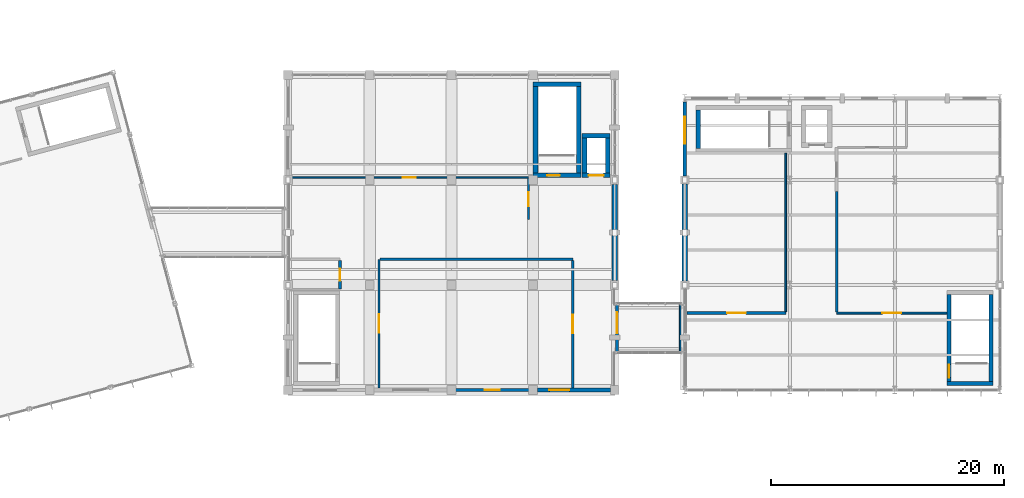
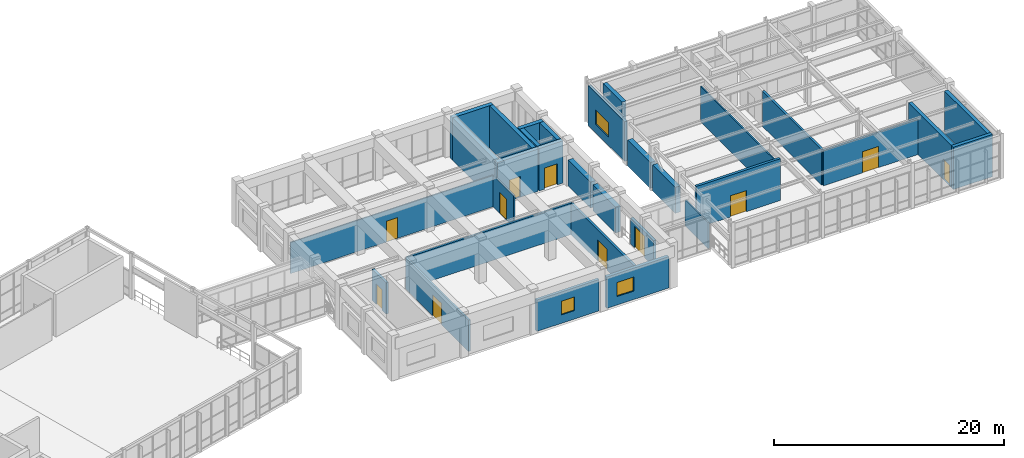
# One storey, part 84 of 99: 31 walls, 11 doors, 3 windows, 14 openings.
"""IFC4 building model written with IfcOpenShell, lengths in metres."""

from ifc_helpers import new_model, si_unit, direction, frame, frame_2d, origin, place, context, subcontext, project, spatial, rectangle, extrude, material, layer, layer_set, type_object, element, fill, save


model = new_model("IFC4")

# Units and contexts
model_context = context("Model", 3, precision=1e-05, world=origin(), true_north=direction((0.0, 1.0)))
body_context = subcontext(model_context, "Body", "Model", "MODEL_VIEW")
ifc_project = project(units=[si_unit("LENGTHUNIT", "METRE"), si_unit("AREAUNIT", "SQUARE_METRE"), si_unit("VOLUMEUNIT", "CUBIC_METRE"), si_unit("PLANEANGLEUNIT", "RADIAN"), si_unit("MASSUNIT", "GRAM", prefix="KILO")], contexts=[model_context])

# Site, building, storey
site_placement = place(None, origin())
site = spatial("IfcSite", under=ifc_project, at=site_placement, CompositionType="ELEMENT")
building_placement = place(site_placement, origin())
building = spatial("IfcBuilding", under=site, at=building_placement, Name="Ventoquebrada Cableway Terminal", CompositionType="ELEMENT")
storey_placement = place(building_placement, frame((0.0, 0.0, 9.60009765625)))
storey = spatial("IfcBuildingStorey", under=building, at=storey_placement, Name="L02", CompositionType="ELEMENT", Elevation=9.60009765625)

# Wall, opening, door
ifc_material_1 = material(Name="Concrete C40/50", Category="concrete")
ifc_layer_1 = layer(ifc_material_1, 0.39990234375)
ifc_layer_set_1 = layer_set([ifc_layer_1], Name="Concrete C40/50")
wall_type_1 = type_object("IfcWallType", Name="WL-CR1", PredefinedType="SHEAR", material=ifc_layer_set_1)
wall_1_placement = place(storey_placement, frame((116.0, 95.39990234375, 0.0), z_axis=(0.0, 0.0, 1.0), x_axis=(1.0, 0.0, 0.0)))
wall_1 = element("IfcWall", 1, at=wall_1_placement, inside=storey, type_object=wall_type_1, Name="Core shear wall IW-0145", PredefinedType="SHEAR", context=body_context, shape_type="SweptSolid", body=[
    extrude(rectangle(XDim=4.10009765625, YDim=0.39990234375, at=frame_2d((2.050048828125, 0.0))), origin(), (0.0, 0.0, 1.0), 4.489990234375),
])
opening_1_placement = place(wall_1_placement, frame((1.199951171875, 0.0, 0.0)))
opening_1 = element("IfcOpeningElement", 2, at=opening_1_placement, cuts=wall_1, Name="Opening D-018", PredefinedType="OPENING", context=body_context, shape_type="SweptSolid", body=[
    extrude(rectangle(XDim=1.10009765625, YDim=2.199951171875, at=frame_2d((0.550048828125, 1.10009765625))), frame((0.0, 0.2099609375, 0.0), z_axis=(0.0, -1.0, 0.0), x_axis=(1.0, 0.0, 0.0)), (0.0, 0.0, 1.0), 0.419921875),
])
ifc_material_2 = material(Name="Galvanized fire-rated steel door assembly", Category="steel")
door_type_1 = type_object("IfcDoorType", Name="DT-IN05", OperationType="SINGLE_SWING_LEFT", PredefinedType="DOOR", material=ifc_material_2)
door_1_placement = place(opening_1_placement, origin())
door_1 = element("IfcDoor", 3, at=door_1_placement, inside=storey, type_object=door_type_1, Name="Core K4-S stair fire door D-018", OperationType="SINGLE_SWING_LEFT", OverallHeight=2.199951171875, OverallWidth=1.10009765625, PredefinedType="DOOR", context=body_context, shape_type="SweptSolid", body=[
    extrude(rectangle(XDim=1.10009765625, YDim=2.199951171875, at=frame_2d((0.550048828125, 1.10009765625))), frame((0.0, 0.02490234375, 0.0), z_axis=(0.0, -1.0, 0.0), x_axis=(1.0, 0.0, 0.0)), (0.0, 0.0, 1.0), 0.050048828125),
])
fill(opening_1, door_1)

# Walls
wall_2_placement = place(storey_placement, frame((119.89990234375, 95.60009765625, 0.0), z_axis=(0.0, 0.0, 1.0), x_axis=(0.0, 1.0, 0.0)))
element("IfcWall", 4, at=wall_2_placement, inside=storey, type_object=wall_type_1, Name="Core shear wall IW-0146", PredefinedType="SHEAR", context=body_context, shape_type="SweptSolid", body=[
    extrude(rectangle(XDim=7.39990234375, YDim=0.39990234375, at=frame_2d((3.699951171875, 0.0))), origin(), (0.0, 0.0, 1.0), 4.489990234375),
])
wall_3_placement = place(storey_placement, frame((120.10009765625, 103.199951171875, 0.0), z_axis=(0.0, 0.0, 1.0), x_axis=(-1.0, 0.0, 0.0)))
element("IfcWall", 5, at=wall_3_placement, inside=storey, type_object=wall_type_1, Name="Core shear wall IW-0147", PredefinedType="SHEAR", context=body_context, shape_type="SweptSolid", body=[
    extrude(rectangle(XDim=4.10009765625, YDim=0.39990234375, at=frame_2d((2.050048828125, 0.0))), origin(), (0.0, 0.0, 1.0), 4.489990234375),
])
wall_4_placement = place(storey_placement, frame((116.199951171875, 103.0, 0.0), z_axis=(0.0, 0.0, 1.0), x_axis=(0.0, -1.0, 0.0)))
element("IfcWall", 6, at=wall_4_placement, inside=storey, type_object=wall_type_1, Name="Core shear wall IW-0148", PredefinedType="SHEAR", context=body_context, shape_type="SweptSolid", body=[
    extrude(rectangle(XDim=7.39990234375, YDim=0.39990234375, at=frame_2d((3.699951171875, 0.0))), origin(), (0.0, 0.0, 1.0), 4.489990234375),
])

# Wall, opening, door
wall_5_placement = place(storey_placement, frame((120.199951171875, 95.39990234375, 0.0), z_axis=(0.0, 0.0, 1.0), x_axis=(1.0, 0.0, 0.0)))
wall_5 = element("IfcWall", 7, at=wall_5_placement, inside=storey, type_object=wall_type_1, Name="Core shear wall IW-0149", PredefinedType="SHEAR", context=body_context, shape_type="SweptSolid", body=[
    extrude(rectangle(XDim=2.400146484375, YDim=0.39990234375, at=frame_2d((1.2001953125, 0.0))), origin(), (0.0, 0.0, 1.0), 4.489990234375),
])
opening_2_placement = place(wall_5_placement, frame((0.550048828125, 0.0, 0.0)))
opening_2 = element("IfcOpeningElement", 8, at=opening_2_placement, cuts=wall_5, Name="Opening LD-018", PredefinedType="OPENING", context=body_context, shape_type="SweptSolid", body=[
    extrude(rectangle(XDim=1.300048828125, YDim=2.25, at=frame_2d((0.64990234375, 1.125))), frame((0.0, 0.2099609375, 0.0), z_axis=(0.0, -1.0, 0.0), x_axis=(1.0, 0.0, 0.0)), (0.0, 0.0, 1.0), 0.419921875),
])
ifc_material_3 = material(Name="Brushed stainless steel Grade 316", Category="steel")
door_type_2 = type_object("IfcDoorType", Name="DT-LD02", OperationType="SLIDING_TO_RIGHT", PredefinedType="DOOR", material=ifc_material_3)
door_2_placement = place(opening_2_placement, origin())
door_2 = element("IfcDoor", 9, at=door_2_placement, inside=storey, type_object=door_type_2, Name="Lift landing sliding door LD-018", OperationType="SLIDING_TO_LEFT", OverallHeight=2.25, OverallWidth=1.300048828125, PredefinedType="DOOR", context=body_context, shape_type="SweptSolid", body=[
    extrude(rectangle(XDim=1.300048828125, YDim=2.25, at=frame_2d((0.64990234375, 1.125))), frame((0.0, 0.02490234375, 0.0), z_axis=(0.0, -1.0, 0.0), x_axis=(1.0, 0.0, 0.0)), (0.0, 0.0, 1.0), 0.050048828125),
])
fill(opening_2, door_2)

# Walls
wall_6_placement = place(storey_placement, frame((122.39990234375, 95.60009765625, 0.0), z_axis=(0.0, 0.0, 1.0), x_axis=(0.0, 1.0, 0.0)))
element("IfcWall", 10, at=wall_6_placement, inside=storey, type_object=wall_type_1, Name="Core shear wall IW-0150", PredefinedType="SHEAR", context=body_context, shape_type="SweptSolid", body=[
    extrude(rectangle(XDim=3.0, YDim=0.39990234375, at=frame_2d((1.5, 0.0))), origin(), (0.0, 0.0, 1.0), 4.489990234375),
])
wall_7_placement = place(storey_placement, frame((122.60009765625, 98.800048828125, 0.0), z_axis=(0.0, 0.0, 1.0), x_axis=(-1.0, 0.0, 0.0)))
element("IfcWall", 11, at=wall_7_placement, inside=storey, type_object=wall_type_1, Name="Core shear wall IW-0151", PredefinedType="SHEAR", context=body_context, shape_type="SweptSolid", body=[
    extrude(rectangle(XDim=2.400146484375, YDim=0.39990234375, at=frame_2d((1.2001953125, 0.0))), origin(), (0.0, 0.0, 1.0), 4.489990234375),
])
wall_8_placement = place(storey_placement, frame((120.39990234375, 98.60009765625, 0.0), z_axis=(0.0, 0.0, 1.0), x_axis=(0.0, -1.0, 0.0)))
element("IfcWall", 12, at=wall_8_placement, inside=storey, type_object=wall_type_1, Name="Core shear wall IW-0152", PredefinedType="SHEAR", context=body_context, shape_type="SweptSolid", body=[
    extrude(rectangle(XDim=3.0, YDim=0.39990234375, at=frame_2d((1.5, 0.0))), origin(), (0.0, 0.0, 1.0), 4.489990234375),
])
wall_9_placement = place(storey_placement, frame((130.14990234375, 101.0, 0.0), z_axis=(0.0, 0.0, 1.0), x_axis=(0.0, -1.0, 0.0)))
element("IfcWall", 13, at=wall_9_placement, inside=storey, type_object=wall_type_1, Name="Core shear wall IW-0180", PredefinedType="SHEAR", context=body_context, shape_type="SweptSolid", body=[
    extrude(rectangle(XDim=3.300048828125, YDim=0.39990234375, at=frame_2d((1.64990234375, 0.0))), origin(), (0.0, 0.0, 1.0), 4.489990234375),
])

# Wall, opening, window
ifc_material_4 = material(Name="Precast architectural concrete C40/50", Category="concrete")
ifc_layer_2 = layer(ifc_material_4, 0.280029296875)
ifc_layer_set_2 = layer_set([ifc_layer_2], Name="Precast architectural concrete C40/50")
wall_type_2 = type_object("IfcWallType", Name="WL-EX1", PredefinedType="SOLIDWALL", material=ifc_layer_set_2)
wall_10_placement = place(storey_placement, frame((109.3701171875, 77.0, 0.0), z_axis=(0.0, 0.0, 1.0), x_axis=(1.0, 0.0, 0.0)))
wall_10 = element("IfcWall", 14, at=wall_10_placement, inside=storey, type_object=wall_type_2, Name="Exterior architectural wall EW-0221", PredefinedType="SOLIDWALL", context=body_context, shape_type="SweptSolid", body=[
    extrude(rectangle(XDim=6.259765625, YDim=0.280029296875, at=frame_2d((3.1298828125, 0.0))), origin(), (0.0, 0.0, 1.0), 3.324951171875),
])
opening_3_placement = place(wall_10_placement, frame((2.47998046875, 0.0, 0.89990234375)))
opening_3 = element("IfcOpeningElement", 15, at=opening_3_placement, cuts=wall_10, Name="Opening WN-115", PredefinedType="OPENING", context=body_context, shape_type="SweptSolid", body=[
    extrude(rectangle(XDim=1.300048828125, YDim=1.449951171875, at=frame_2d((0.64990234375, 0.72509765625))), frame((0.0, 0.14990234375, 0.0), z_axis=(0.0, -1.0, 0.0), x_axis=(1.0, 0.0, 0.0)), (0.0, 0.0, 1.0), 0.300048828125),
])
ifc_material_5 = material(Name="Double low-e laminated safety glazing", Category="glass")
window_type_1 = type_object("IfcWindowType", Name="WT-15", PartitioningType="SINGLE_PANEL", PredefinedType="WINDOW", material=ifc_material_5)
window_1_placement = place(opening_3_placement, origin())
window_1 = element("IfcWindow", 16, at=window_1_placement, inside=storey, type_object=window_type_1, Name="Architectural punched window WN-115", OverallHeight=1.449951171875, OverallWidth=1.300048828125, PartitioningType="SINGLE_PANEL", PredefinedType="WINDOW", context=body_context, shape_type="SweptSolid", body=[
    extrude(rectangle(XDim=1.300048828125, YDim=1.449951171875, at=frame_2d((0.64990234375, 0.72509765625))), frame((0.0, 0.030029296875, 0.0), z_axis=(0.0, -1.0, 0.0), x_axis=(1.0, 0.0, 0.0)), (0.0, 0.0, 1.0), 0.06005859375),
])
fill(opening_3, window_1)

wall_11_placement = place(storey_placement, frame((129.0, 101.698974609375, 0.0), z_axis=(0.0, 0.0, 1.0), x_axis=(0.0, -1.0, 0.0)))
wall_11 = element("IfcWall", 17, at=wall_11_placement, inside=storey, type_object=wall_type_2, Name="Exterior architectural wall EW-0282", PredefinedType="SOLIDWALL", context=body_context, shape_type="SweptSolid", body=[
    extrude(rectangle(XDim=6.35400390625, YDim=0.280029296875, at=frame_2d((3.177001953125, 0.0))), origin(), (0.0, 0.0, 1.0), 4.224853515625),
])
opening_4_placement = place(wall_11_placement, frame((1.277099609375, 0.0, 0.89990234375)))
opening_4 = element("IfcOpeningElement", 18, at=opening_4_placement, cuts=wall_11, Name="Opening WN-158", PredefinedType="OPENING", context=body_context, shape_type="SweptSolid", body=[
    extrude(rectangle(XDim=2.300048828125, YDim=1.5, at=frame_2d((1.14990234375, 0.75))), frame((0.0, 0.14990234375, 0.0), z_axis=(0.0, -1.0, 0.0), x_axis=(1.0, 0.0, 0.0)), (0.0, 0.0, 1.0), 0.300048828125),
])
window_type_2 = type_object("IfcWindowType", Name="WT-18", PartitioningType="SINGLE_PANEL", PredefinedType="WINDOW", material=ifc_material_5)
window_2_placement = place(opening_4_placement, origin())
window_2 = element("IfcWindow", 19, at=window_2_placement, inside=storey, type_object=window_type_2, Name="Architectural punched window WN-158", OverallHeight=1.5, OverallWidth=2.300048828125, PartitioningType="SINGLE_PANEL", PredefinedType="WINDOW", context=body_context, shape_type="SweptSolid", body=[
    extrude(rectangle(XDim=2.300048828125, YDim=1.5, at=frame_2d((1.14990234375, 0.75))), frame((0.0, 0.030029296875, 0.0), z_axis=(0.0, -1.0, 0.0), x_axis=(1.0, 0.0, 0.0)), (0.0, 0.0, 1.0), 0.06005859375),
])
fill(opening_4, window_2)

ifc_layer_3 = layer(ifc_material_4, 0.320068359375)
ifc_layer_set_3 = layer_set([ifc_layer_3], Name="Precast architectural concrete C40/50")
wall_type_3 = type_object("IfcWallType", Name="WL-EX2", PredefinedType="SOLIDWALL", material=ifc_layer_set_3)
wall_12_placement = place(storey_placement, frame((116.3701171875, 77.0, 0.0), z_axis=(0.0, 0.0, 1.0), x_axis=(1.0, 0.0, 0.0)))
wall_12 = element("IfcWall", 20, at=wall_12_placement, inside=storey, type_object=wall_type_3, Name="Exterior architectural wall EW-0222", PredefinedType="SOLIDWALL", context=body_context, shape_type="SweptSolid", body=[
    extrude(rectangle(XDim=6.259765625, YDim=0.320068359375, at=frame_2d((3.1298828125, 0.0))), origin(), (0.0, 0.0, 1.0), 3.324951171875),
])
opening_5_placement = place(wall_12_placement, frame((1.030029296875, 0.0, 0.89990234375)))
opening_5 = element("IfcOpeningElement", 21, at=opening_5_placement, cuts=wall_12, Name="Opening WN-116", PredefinedType="OPENING", context=body_context, shape_type="SweptSolid", body=[
    extrude(rectangle(XDim=1.699951171875, YDim=1.5, at=frame_2d((0.85009765625, 0.75))), frame((0.0, 0.169921875, 0.0), z_axis=(0.0, -1.0, 0.0), x_axis=(1.0, 0.0, 0.0)), (0.0, 0.0, 1.0), 0.340087890625),
])
window_type_3 = type_object("IfcWindowType", Name="WT-16", PartitioningType="SINGLE_PANEL", PredefinedType="WINDOW", material=ifc_material_5)
window_3_placement = place(opening_5_placement, origin())
window_3 = element("IfcWindow", 22, at=window_3_placement, inside=storey, type_object=window_type_3, Name="Architectural punched window WN-116", OverallHeight=1.5, OverallWidth=1.699951171875, PartitioningType="SINGLE_PANEL", PredefinedType="WINDOW", context=body_context, shape_type="SweptSolid", body=[
    extrude(rectangle(XDim=1.699951171875, YDim=1.5, at=frame_2d((0.85009765625, 0.75))), frame((0.0, 0.030029296875, 0.0), z_axis=(0.0, -1.0, 0.0), x_axis=(1.0, 0.0, 0.0)), (0.0, 0.0, 1.0), 0.06005859375),
])
fill(opening_5, window_3)

# Wall, opening, door
ifc_material_6 = material(Name="Fire-rated gypsum partition board on steel framing", Category="steel")
ifc_layer_4 = layer(ifc_material_6, 0.1201171875)
ifc_layer_set_4 = layer_set([ifc_layer_4], Name="Fire-rated gypsum partition board on steel framing")
wall_type_4 = type_object("IfcWallType", Name="WL-PT1", PredefinedType="PARTITIONING", material=ifc_layer_set_4)
wall_13_placement = place(storey_placement, frame((95.199951171875, 95.199951171875, 0.0), z_axis=(0.0, 0.0, 1.0), x_axis=(1.0, 0.0, 0.0)))
wall_13 = element("IfcWall", 23, at=wall_13_placement, inside=storey, type_object=wall_type_4, Name="Interior partition IW-0401", PredefinedType="PARTITIONING", context=body_context, shape_type="SweptSolid", body=[
    extrude(rectangle(XDim=20.400146484375, YDim=0.1201171875, at=frame_2d((10.2001953125, 0.0))), origin(), (0.0, 0.0, 1.0), 3.31494140625),
])
opening_6_placement = place(wall_13_placement, frame((9.64990234375, 0.0, 0.0)))
opening_6 = element("IfcOpeningElement", 24, at=opening_6_placement, cuts=wall_13, Name="Opening D-120", PredefinedType="OPENING", context=body_context, shape_type="SweptSolid", body=[
    extrude(rectangle(XDim=1.10009765625, YDim=2.199951171875, at=frame_2d((0.550048828125, 1.10009765625))), frame((0.0, 0.070068359375, 0.0), z_axis=(0.0, -1.0, 0.0), x_axis=(1.0, 0.0, 0.0)), (0.0, 0.0, 1.0), 0.14013671875),
])
door_3_placement = place(opening_6_placement, origin())
door_3 = element("IfcDoor", 25, at=door_3_placement, inside=storey, type_object=door_type_1, Name="Dispatch Control Room Door D-120", OperationType="SINGLE_SWING_LEFT", OverallHeight=2.199951171875, OverallWidth=1.10009765625, PredefinedType="DOOR", context=body_context, shape_type="SweptSolid", body=[
    extrude(rectangle(XDim=1.10009765625, YDim=2.199951171875, at=frame_2d((0.550048828125, 1.10009765625))), frame((0.0, 0.02490234375, 0.0), z_axis=(0.0, -1.0, 0.0), x_axis=(1.0, 0.0, 0.0)), (0.0, 0.0, 1.0), 0.050048828125),
])
fill(opening_6, door_3)

ifc_material_7 = material(Name="Autoclaved aerated concrete blockwork", Category="masonry")
ifc_layer_5 = layer(ifc_material_7, 0.2451171875)
ifc_layer_set_5 = layer_set([ifc_layer_5], Name="Autoclaved aerated concrete blockwork")
wall_type_5 = type_object("IfcWallType", Name="WL-PT10", PredefinedType="PARTITIONING", material=ifc_layer_set_5)
wall_14_placement = place(storey_placement, frame((99.449951171875, 85.679931640625, 0.0), z_axis=(0.0, 0.0, 1.0), x_axis=(0.0, 1.0, 0.0)))
wall_14 = element("IfcWall", 26, at=wall_14_placement, inside=storey, type_object=wall_type_5, Name="Interior partition IW-0400", PredefinedType="PARTITIONING", context=body_context, shape_type="SweptSolid", body=[
    extrude(rectangle(XDim=2.4140625, YDim=0.2451171875, at=frame_2d((1.20703125, 0.0))), origin(), (0.0, 0.0, 1.0), 3.31494140625),
])
opening_7_placement = place(wall_14_placement, frame((0.681884765625, 0.0, 0.0)))
opening_7 = element("IfcOpeningElement", 27, at=opening_7_placement, cuts=wall_14, Name="Opening D-119", PredefinedType="OPENING", context=body_context, shape_type="SweptSolid", body=[
    extrude(rectangle(XDim=1.050048828125, YDim=2.14990234375, at=frame_2d((0.52490234375, 1.074951171875))), frame((0.0, 0.132568359375, 0.0), z_axis=(0.0, -1.0, 0.0), x_axis=(1.0, 0.0, 0.0)), (0.0, 0.0, 1.0), 0.26513671875),
])
ifc_material_8 = material(Name="Fire-retardant oak acoustic door leaf")
door_type_3 = type_object("IfcDoorType", Name="DT-IN03", OperationType="SINGLE_SWING_LEFT", PredefinedType="DOOR", material=ifc_material_8)
door_4_placement = place(opening_7_placement, origin())
door_4 = element("IfcDoor", 28, at=door_4_placement, inside=storey, type_object=door_type_3, Name="L02 Control Room Staff WC Door D-119", OperationType="SINGLE_SWING_RIGHT", OverallHeight=2.14990234375, OverallWidth=1.050048828125, PredefinedType="DOOR", context=body_context, shape_type="SweptSolid", body=[
    extrude(rectangle(XDim=1.050048828125, YDim=2.14990234375, at=frame_2d((0.52490234375, 1.074951171875))), frame((0.0, 0.02490234375, 0.0), z_axis=(0.0, -1.0, 0.0), x_axis=(1.0, 0.0, 0.0)), (0.0, 0.0, 1.0), 0.050048828125),
])
fill(opening_7, door_4)

ifc_layer_6 = layer(ifc_material_6, 0.14990234375)
ifc_layer_set_6 = layer_set([ifc_layer_6], Name="Fire-rated gypsum partition board on steel framing")
wall_type_6 = type_object("IfcWallType", Name="WL-PT2", PredefinedType="PARTITIONING", material=ifc_layer_set_6)
wall_15_placement = place(storey_placement, frame((115.60009765625, 91.60009765625, 0.0), z_axis=(0.0, 0.0, 1.0), x_axis=(0.0, 1.0, 0.0)))
wall_15 = element("IfcWall", 29, at=wall_15_placement, inside=storey, type_object=wall_type_6, Name="Interior partition IW-0402", PredefinedType="PARTITIONING", context=body_context, shape_type="SweptSolid", body=[
    extrude(rectangle(XDim=3.5419921875, YDim=0.14990234375, at=frame_2d((1.77099609375, 0.0))), origin(), (0.0, 0.0, 1.0), 3.31494140625),
])
opening_8_placement = place(wall_15_placement, frame((1.1708984375, 0.0, 0.0)))
opening_8 = element("IfcOpeningElement", 30, at=opening_8_placement, cuts=wall_15, Name="Opening D-121", PredefinedType="OPENING", context=body_context, shape_type="SweptSolid", body=[
    extrude(rectangle(XDim=1.199951171875, YDim=2.199951171875, at=frame_2d((0.60009765625, 1.10009765625))), frame((0.0, 0.0849609375, 0.0), z_axis=(0.0, -1.0, 0.0), x_axis=(1.0, 0.0, 0.0)), (0.0, 0.0, 1.0), 0.169921875),
])
door_type_4 = type_object("IfcDoorType", Name="DT-IN06", OperationType="SINGLE_SWING_RIGHT", PredefinedType="DOOR", material=ifc_material_2)
door_5_placement = place(opening_8_placement, origin())
door_5 = element("IfcDoor", 31, at=door_5_placement, inside=storey, type_object=door_type_4, Name="K4 Upper Lobby Door D-121", OperationType="SINGLE_SWING_RIGHT", OverallHeight=2.199951171875, OverallWidth=1.199951171875, PredefinedType="DOOR", context=body_context, shape_type="SweptSolid", body=[
    extrude(rectangle(XDim=1.199951171875, YDim=2.199951171875, at=frame_2d((0.60009765625, 1.10009765625))), frame((0.0, 0.02490234375, 0.0), z_axis=(0.0, -1.0, 0.0), x_axis=(1.0, 0.0, 0.0)), (0.0, 0.0, 1.0), 0.050048828125),
])
fill(opening_8, door_5)

ifc_layer_7 = layer(ifc_material_6, 0.179931640625)
ifc_layer_set_7 = layer_set([ifc_layer_7], Name="Fire-rated gypsum partition board on steel framing")
wall_type_7 = type_object("IfcWallType", Name="WL-PT3", PredefinedType="STANDARD", material=ifc_layer_set_7)
wall_16_placement = place(storey_placement, frame((102.800048828125, 77.199951171875, 0.0), z_axis=(0.0, 0.0, 1.0), x_axis=(0.0, 1.0, 0.0)))
wall_16 = element("IfcWall", 32, at=wall_16_placement, inside=storey, type_object=wall_type_7, Name="Interior partition IW-0403", PredefinedType="STANDARD", context=body_context, shape_type="SweptSolid", body=[
    extrude(rectangle(XDim=11.0, YDim=0.179931640625, at=frame_2d((5.5, 0.0))), origin(), (0.0, 0.0, 1.0), 3.31494140625),
])
opening_9_placement = place(wall_16_placement, frame((4.699951171875, 0.0, 0.0)))
opening_9 = element("IfcOpeningElement", 33, at=opening_9_placement, cuts=wall_16, Name="Opening D-122", PredefinedType="OPENING", context=body_context, shape_type="SweptSolid", body=[
    extrude(rectangle(XDim=1.60009765625, YDim=2.25, at=frame_2d((0.800048828125, 1.125))), frame((0.0, 0.099853515625, 0.0), z_axis=(0.0, -1.0, 0.0), x_axis=(1.0, 0.0, 0.0)), (0.0, 0.0, 1.0), 0.199951171875),
])
door_type_5 = type_object("IfcDoorType", Name="DT-IN07", OperationType="DOUBLE_SWING_LEFT", PredefinedType="DOOR", material=ifc_material_2)
door_6_placement = place(opening_9_placement, origin())
door_6 = element("IfcDoor", 34, at=door_6_placement, inside=storey, type_object=door_type_5, Name="Main Drive Room West Door D-122", OperationType="DOUBLE_SWING_LEFT", OverallHeight=2.25, OverallWidth=1.60009765625, PredefinedType="DOOR", context=body_context, shape_type="SweptSolid", body=[
    extrude(rectangle(XDim=1.60009765625, YDim=2.25, at=frame_2d((0.800048828125, 1.125))), frame((0.0, 0.02490234375, 0.0), z_axis=(0.0, -1.0, 0.0), x_axis=(1.0, 0.0, 0.0)), (0.0, 0.0, 1.0), 0.050048828125),
])
fill(opening_9, door_6)

# Wall
ifc_layer_8 = layer(ifc_material_7, 0.199951171875)
ifc_layer_set_8 = layer_set([ifc_layer_8], Name="Autoclaved aerated concrete blockwork")
wall_type_8 = type_object("IfcWallType", Name="WL-PT4", PredefinedType="PARTITIONING", material=ifc_layer_set_8)
wall_17_placement = place(storey_placement, frame((102.887939453125, 88.199951171875, 0.0), z_axis=(0.0, 0.0, 1.0), x_axis=(1.0, 0.0, 0.0)))
element("IfcWall", 35, at=wall_17_placement, inside=storey, type_object=wall_type_8, Name="Interior partition IW-0404", PredefinedType="PARTITIONING", context=body_context, shape_type="SweptSolid", body=[
    extrude(rectangle(XDim=16.511962890625, YDim=0.199951171875, at=frame_2d((8.255859375, 0.0))), origin(), (0.0, 0.0, 1.0), 3.31494140625),
])

# Wall, opening, door
ifc_layer_9 = layer(ifc_material_7, 0.22998046875)
ifc_layer_set_9 = layer_set([ifc_layer_9], Name="Autoclaved aerated concrete blockwork")
wall_type_9 = type_object("IfcWallType", Name="WL-PT5", PredefinedType="PARTITIONING", material=ifc_layer_set_9)
wall_18_placement = place(storey_placement, frame((119.39990234375, 77.199951171875, 0.0), z_axis=(0.0, 0.0, 1.0), x_axis=(0.0, 1.0, 0.0)))
wall_18 = element("IfcWall", 36, at=wall_18_placement, inside=storey, type_object=wall_type_9, Name="Interior partition IW-0405", PredefinedType="PARTITIONING", context=body_context, shape_type="SweptSolid", body=[
    extrude(rectangle(XDim=10.902099609375, YDim=0.22998046875, at=frame_2d((5.451171875, 0.0))), origin(), (0.0, 0.0, 1.0), 3.31494140625),
])
opening_10_placement = place(wall_18_placement, frame((4.65087890625, 0.0, 0.0)))
opening_10 = element("IfcOpeningElement", 37, at=opening_10_placement, cuts=wall_18, Name="Opening D-123", PredefinedType="OPENING", context=body_context, shape_type="SweptSolid", body=[
    extrude(rectangle(XDim=1.60009765625, YDim=2.25, at=frame_2d((0.800048828125, 1.125))), frame((0.0, 0.125, 0.0), z_axis=(0.0, -1.0, 0.0), x_axis=(1.0, 0.0, 0.0)), (0.0, 0.0, 1.0), 0.25),
])
door_7_placement = place(opening_10_placement, origin())
door_7 = element("IfcDoor", 38, at=door_7_placement, inside=storey, type_object=door_type_5, Name="Main Drive Room East Door D-123", OperationType="DOUBLE_SWING_RIGHT", OverallHeight=2.25, OverallWidth=1.60009765625, PredefinedType="DOOR", context=body_context, shape_type="SweptSolid", body=[
    extrude(rectangle(XDim=1.60009765625, YDim=2.25, at=frame_2d((0.800048828125, 1.125))), frame((0.0, 0.02490234375, 0.0), z_axis=(0.0, -1.0, 0.0), x_axis=(1.0, 0.0, 0.0)), (0.0, 0.0, 1.0), 0.050048828125),
])
fill(opening_10, door_7)

ifc_layer_10 = layer(ifc_material_7, 0.260009765625)
ifc_layer_set_10 = layer_set([ifc_layer_10], Name="Autoclaved aerated concrete blockwork")
wall_type_10 = type_object("IfcWallType", Name="WL-PT6", PredefinedType="PARTITIONING", material=ifc_layer_set_10)
wall_19_placement = place(storey_placement, frame((123.199951171875, 80.300048828125, 0.0), z_axis=(0.0, 0.0, 1.0), x_axis=(0.0, 1.0, 0.0)))
wall_19 = element("IfcWall", 39, at=wall_19_placement, inside=storey, type_object=wall_type_10, Name="Interior partition IW-0396", PredefinedType="PARTITIONING", context=body_context, shape_type="SweptSolid", body=[
    extrude(rectangle(XDim=4.0, YDim=0.260009765625, at=frame_2d((2.0, 0.0))), origin(), (0.0, 0.0, 1.0), 2.741943359375),
])
opening_11_placement = place(wall_19_placement, frame((1.550048828125, 0.0, 0.0)))
opening_11 = element("IfcOpeningElement", 40, at=opening_11_placement, cuts=wall_19, Name="Opening D-118", PredefinedType="OPENING", context=body_context, shape_type="SweptSolid", body=[
    extrude(rectangle(XDim=1.800048828125, YDim=2.300048828125, at=frame_2d((0.89990234375, 1.14990234375))), frame((0.0, 0.139892578125, 0.0), z_axis=(0.0, -1.0, 0.0), x_axis=(1.0, 0.0, 0.0)), (0.0, 0.0, 1.0), 0.280029296875),
])
door_type_6 = type_object("IfcDoorType", Name="DT-IN08", OperationType="DOUBLE_SWING_RIGHT", PredefinedType="DOOR", material=ifc_material_2)
door_8_placement = place(opening_11_placement, origin())
door_8 = element("IfcDoor", 41, at=door_8_placement, inside=storey, type_object=door_type_6, Name="Bridge LP-4 West Smoke Door D-118", OperationType="DOUBLE_SWING_LEFT", OverallHeight=2.300048828125, OverallWidth=1.800048828125, PredefinedType="DOOR", context=body_context, shape_type="SweptSolid", body=[
    extrude(rectangle(XDim=1.800048828125, YDim=2.300048828125, at=frame_2d((0.89990234375, 1.14990234375))), frame((0.0, 0.02490234375, 0.0), z_axis=(0.0, -1.0, 0.0), x_axis=(1.0, 0.0, 0.0)), (0.0, 0.0, 1.0), 0.050048828125),
])
fill(opening_11, door_8)

wall_20_placement = place(storey_placement, frame((129.199951171875, 83.60009765625, 0.0), z_axis=(0.0, 0.0, 1.0), x_axis=(1.0, 0.0, 0.0)))
wall_20 = element("IfcWall", 42, at=wall_20_placement, inside=storey, type_object=wall_type_10, Name="Interior partition IW-0406", PredefinedType="PARTITIONING", context=body_context, shape_type="SweptSolid", body=[
    extrude(rectangle(XDim=8.449951171875, YDim=0.260009765625, at=frame_2d((4.22509765625, 0.0))), origin(), (0.0, 0.0, 1.0), 4.434814453125),
])
opening_12_placement = place(wall_20_placement, frame((3.425048828125, 0.0, 0.0)))
opening_12 = element("IfcOpeningElement", 43, at=opening_12_placement, cuts=wall_20, Name="Opening D-124", PredefinedType="OPENING", context=body_context, shape_type="SweptSolid", body=[
    extrude(rectangle(XDim=1.60009765625, YDim=2.25, at=frame_2d((0.800048828125, 1.125))), frame((0.0, 0.139892578125, 0.0), z_axis=(0.0, -1.0, 0.0), x_axis=(1.0, 0.0, 0.0)), (0.0, 0.0, 1.0), 0.280029296875),
])
door_9_placement = place(opening_12_placement, origin())
door_9 = element("IfcDoor", 44, at=door_9_placement, inside=storey, type_object=door_type_5, Name="Cabin Hangar Detachment Door D-124", OperationType="DOUBLE_SWING_LEFT", OverallHeight=2.25, OverallWidth=1.60009765625, PredefinedType="DOOR", context=body_context, shape_type="SweptSolid", body=[
    extrude(rectangle(XDim=1.60009765625, YDim=2.25, at=frame_2d((0.800048828125, 1.125))), frame((0.0, 0.02490234375, 0.0), z_axis=(0.0, -1.0, 0.0), x_axis=(1.0, 0.0, 0.0)), (0.0, 0.0, 1.0), 0.050048828125),
])
fill(opening_12, door_9)

# Walls
ifc_layer_11 = layer(ifc_material_6, 0.135009765625)
ifc_layer_set_11 = layer_set([ifc_layer_11], Name="Fire-rated gypsum partition board on steel framing")
wall_type_11 = type_object("IfcWallType", Name="WL-PT7", PredefinedType="PARTITIONING", material=ifc_layer_set_11)
wall_21_placement = place(storey_placement, frame((128.60009765625, 80.300048828125, 0.0), z_axis=(0.0, 0.0, 1.0), x_axis=(0.0, 1.0, 0.0)))
element("IfcWall", 45, at=wall_21_placement, inside=storey, type_object=wall_type_11, Name="Interior partition IW-0397", PredefinedType="PARTITIONING", context=body_context, shape_type="SweptSolid", body=[
    extrude(rectangle(XDim=4.0, YDim=0.135009765625, at=frame_2d((2.0, 0.0))), origin(), (0.0, 0.0, 1.0), 2.741943359375),
])
wall_22_placement = place(storey_placement, frame((137.64990234375, 83.72802734375, 0.0), z_axis=(0.0, 0.0, 1.0), x_axis=(0.0, 1.0, 0.0)))
element("IfcWall", 46, at=wall_22_placement, inside=storey, type_object=wall_type_11, Name="Interior partition IW-0407", PredefinedType="PARTITIONING", context=body_context, shape_type="SweptSolid", body=[
    extrude(rectangle(XDim=13.572021484375, YDim=0.135009765625, at=frame_2d((6.7861328125, 0.0))), origin(), (0.0, 0.0, 1.0), 3.7529296875),
])

# Wall, opening, door
ifc_layer_12 = layer(ifc_material_6, 0.1650390625)
ifc_layer_set_12 = layer_set([ifc_layer_12], Name="Fire-rated gypsum partition board on steel framing")
wall_type_12 = type_object("IfcWallType", Name="WL-PT8", PredefinedType="PARTITIONING", material=ifc_layer_set_12)
wall_23_placement = place(storey_placement, frame((142.0, 83.60009765625, 0.0), z_axis=(0.0, 0.0, 1.0), x_axis=(1.0, 0.0, 0.0)))
wall_23 = element("IfcWall", 47, at=wall_23_placement, inside=storey, type_object=wall_type_12, Name="Interior partition IW-0408", PredefinedType="PARTITIONING", context=body_context, shape_type="SweptSolid", body=[
    extrude(rectangle(XDim=9.449951171875, YDim=0.1650390625, at=frame_2d((4.72509765625, 0.0))), origin(), (0.0, 0.0, 1.0), 3.7529296875),
])
opening_13_placement = place(wall_23_placement, frame((3.925048828125, 0.0, 0.0)))
opening_13 = element("IfcOpeningElement", 48, at=opening_13_placement, cuts=wall_23, Name="Opening D-125", PredefinedType="OPENING", context=body_context, shape_type="SweptSolid", body=[
    extrude(rectangle(XDim=1.60009765625, YDim=2.25, at=frame_2d((0.800048828125, 1.125))), frame((0.0, 0.092529296875, 0.0), z_axis=(0.0, -1.0, 0.0), x_axis=(1.0, 0.0, 0.0)), (0.0, 0.0, 1.0), 0.18505859375),
])
door_10_placement = place(opening_13_placement, origin())
door_10 = element("IfcDoor", 49, at=door_10_placement, inside=storey, type_object=door_type_5, Name="Cabin Loop Garage South Door D-125", OperationType="DOUBLE_SWING_RIGHT", OverallHeight=2.25, OverallWidth=1.60009765625, PredefinedType="DOOR", context=body_context, shape_type="SweptSolid", body=[
    extrude(rectangle(XDim=1.60009765625, YDim=2.25, at=frame_2d((0.800048828125, 1.125))), frame((0.0, 0.02490234375, 0.0), z_axis=(0.0, -1.0, 0.0), x_axis=(1.0, 0.0, 0.0)), (0.0, 0.0, 1.0), 0.050048828125),
])
fill(opening_13, door_10)

# Walls
ifc_layer_13 = layer(ifc_material_7, 0.215087890625)
ifc_layer_set_13 = layer_set([ifc_layer_13], Name="Autoclaved aerated concrete blockwork")
wall_type_13 = type_object("IfcWallType", Name="WL-PT9", PredefinedType="PARTITIONING", material=ifc_layer_set_13)
wall_24_placement = place(storey_placement, frame((142.0, 83.679931640625, 0.0), z_axis=(0.0, 0.0, 1.0), x_axis=(0.0, 1.0, 0.0)))
element("IfcWall", 50, at=wall_24_placement, inside=storey, type_object=wall_type_13, Name="Interior partition IW-0409", PredefinedType="PARTITIONING", context=body_context, shape_type="SweptSolid", body=[
    extrude(rectangle(XDim=10.320068359375, YDim=0.215087890625, at=frame_2d((5.16015625, 0.0))), origin(), (0.0, 0.0, 1.0), 3.7529296875),
])
ifc_layer_14 = layer(ifc_material_1, 0.35009765625)
ifc_layer_set_14 = layer_set([ifc_layer_14], Name="Concrete C40/50")
wall_type_14 = type_object("IfcWallType", Name="WL-SH1", PredefinedType="SHEAR", material=ifc_layer_set_14)
wall_25_placement = place(storey_placement, frame((151.47509765625, 77.550048828125, 0.0), z_axis=(0.0, 0.0, 1.0), x_axis=(1.0, 0.0, 0.0)))
element("IfcWall", 51, at=wall_25_placement, inside=storey, type_object=wall_type_14, Name="Core shear wall IW-0257", PredefinedType="SHEAR", context=body_context, shape_type="SweptSolid", body=[
    extrude(rectangle(XDim=3.949951171875, YDim=0.35009765625, at=frame_2d((1.97509765625, 0.0))), origin(), (0.0, 0.0, 1.0), 4.489990234375),
])
wall_26_placement = place(storey_placement, frame((155.25, 77.72509765625, 0.0), z_axis=(0.0, 0.0, 1.0), x_axis=(0.0, 1.0, 0.0)))
element("IfcWall", 52, at=wall_26_placement, inside=storey, type_object=wall_type_14, Name="Core shear wall IW-0258", PredefinedType="SHEAR", context=body_context, shape_type="SweptSolid", body=[
    extrude(rectangle(XDim=7.449951171875, YDim=0.35009765625, at=frame_2d((3.72509765625, 0.0))), origin(), (0.0, 0.0, 1.0), 4.489990234375),
])

# Wall, opening, door
wall_27_placement = place(storey_placement, frame((151.64990234375, 85.175048828125, 0.0), z_axis=(0.0, 0.0, 1.0), x_axis=(0.0, -1.0, 0.0)))
wall_27 = element("IfcWall", 53, at=wall_27_placement, inside=storey, type_object=wall_type_14, Name="Core shear wall IW-0260", PredefinedType="SHEAR", context=body_context, shape_type="SweptSolid", body=[
    extrude(rectangle(XDim=7.449951171875, YDim=0.35009765625, at=frame_2d((3.72509765625, 0.0))), origin(), (0.0, 0.0, 1.0), 4.489990234375),
])
opening_14_placement = place(wall_27_placement, frame((6.0, 0.0, 0.0)))
opening_14 = element("IfcOpeningElement", 54, at=opening_14_placement, cuts=wall_27, Name="Opening D-039", PredefinedType="OPENING", context=body_context, shape_type="SweptSolid", body=[
    extrude(rectangle(XDim=1.10009765625, YDim=2.199951171875, at=frame_2d((0.550048828125, 1.10009765625))), frame((0.0, 0.18505859375, 0.0), z_axis=(0.0, -1.0, 0.0), x_axis=(1.0, 0.0, 0.0)), (0.0, 0.0, 1.0), 0.3701171875),
])
door_11_placement = place(opening_14_placement, origin())
door_11 = element("IfcDoor", 55, at=door_11_placement, inside=storey, type_object=door_type_1, Name="Core V4-SEC stair fire door D-039", OperationType="SINGLE_SWING_RIGHT", OverallHeight=2.199951171875, OverallWidth=1.10009765625, PredefinedType="DOOR", context=body_context, shape_type="SweptSolid", body=[
    extrude(rectangle(XDim=1.10009765625, YDim=2.199951171875, at=frame_2d((0.550048828125, 1.10009765625))), frame((0.0, 0.02490234375, 0.0), z_axis=(0.0, -1.0, 0.0), x_axis=(1.0, 0.0, 0.0)), (0.0, 0.0, 1.0), 0.050048828125),
])
fill(opening_14, door_11)

# Walls
ifc_material_9 = material(Name="Concrete C45/55", Category="concrete")
ifc_layer_15 = layer(ifc_material_9, 0.5)
ifc_layer_set_15 = layer_set([ifc_layer_15], Name="Concrete C45/55")
wall_type_15 = type_object("IfcWallType", Name="WL-SH2", PredefinedType="SHEAR", material=ifc_layer_set_15)
for number, where, z_axis, x_axis, name in (
    (56, (123.0, 86.3701171875, 0.0), (0.0, 0.0, 1.0), (0.0, 1.0, 0.0), "Exterior architectural wall EW-0223"),
    (57, (123.0, 90.719970703125, 0.0), (0.0, 0.0, 1.0), (0.0, 1.0, 0.0), "Exterior architectural wall EW-0224"),
):
    element("IfcWall", number, at=place(storey_placement, frame(where, z_axis=z_axis, x_axis=x_axis)), inside=storey, type_object=wall_type_15, Name=name, PredefinedType="SHEAR", context=body_context, shape_type="SweptSolid", body=[
        extrude(rectangle(XDim=3.909912109375, YDim=0.5, at=frame_2d((1.955078125, 0.0))), origin(), (0.0, 0.0, 1.0), 2.751953125),
    ])
for number, where, z_axis, x_axis, name in (
    (58, (129.0, 94.655029296875, 0.0), (0.0, 0.0, 1.0), (0.0, -1.0, 0.0), "Exterior architectural wall EW-0280"),
    (59, (129.0, 90.304931640625, 0.0), (0.0, 0.0, 1.0), (0.0, -1.0, 0.0), "Exterior architectural wall EW-0281"),
):
    element("IfcWall", number, at=place(storey_placement, frame(where, z_axis=z_axis, x_axis=x_axis)), inside=storey, type_object=wall_type_15, Name=name, PredefinedType="SHEAR", context=body_context, shape_type="SweptSolid", body=[
        extrude(rectangle(XDim=3.9599609375, YDim=0.5, at=frame_2d((1.97998046875, 0.0))), origin(), (0.0, 0.0, 1.0), 2.751953125),
    ])

save(model, "model.ifc")
